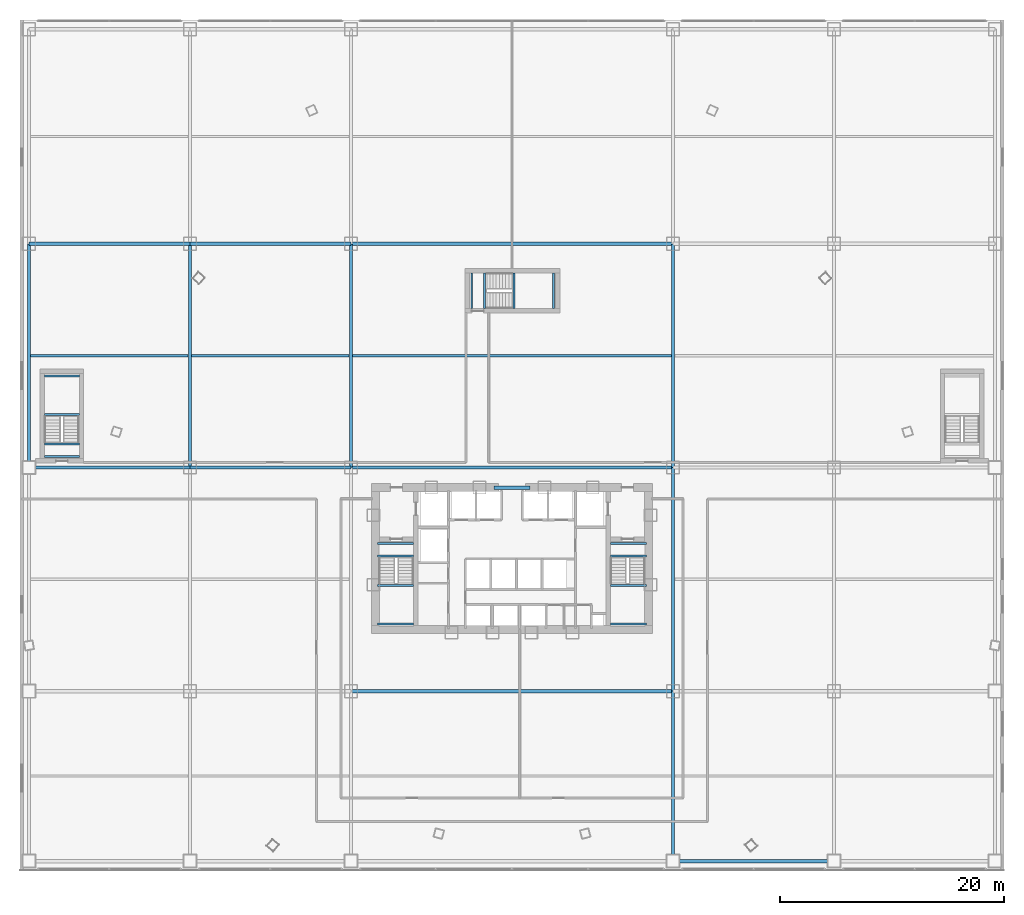
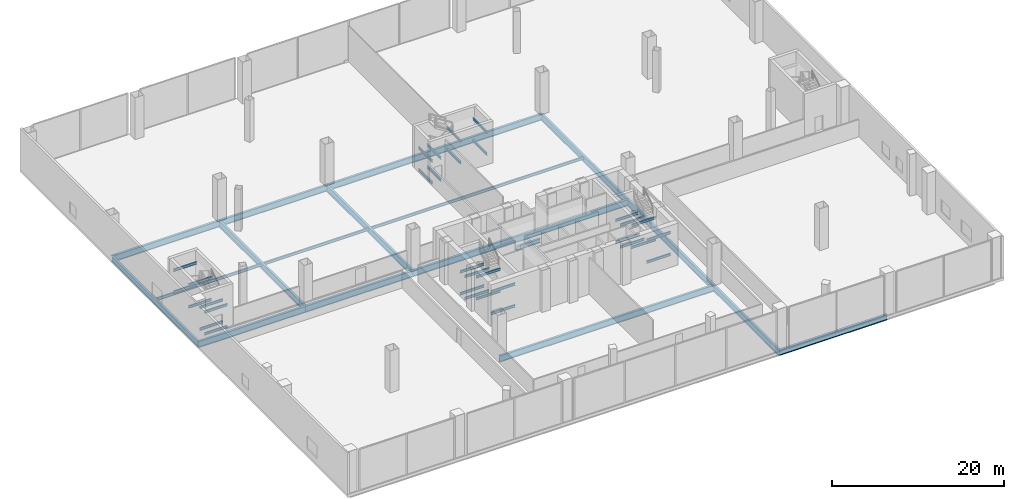
# One storey, part 12 of 41: 50 beams.
"""IFC4 building model written with IfcOpenShell, lengths in metres."""

from ifc_helpers import new_model, si_unit, direction, frame, origin, origin_2d, place, context, subcontext, project, spatial, i_section, extrude, source, transform, mapped, material, material_profile, profile_set, type_object, element, save


model = new_model("IFC4")

# Units and contexts
model_context = context("Model", 3, precision=1e-05, world=origin(), true_north=direction((0.0, 1.0)))
body_context = subcontext(model_context, "Body", "Model", "MODEL_VIEW")
ifc_project = project(units=[si_unit("LENGTHUNIT", "METRE"), si_unit("AREAUNIT", "SQUARE_METRE"), si_unit("VOLUMEUNIT", "CUBIC_METRE"), si_unit("PLANEANGLEUNIT", "RADIAN"), si_unit("MASSUNIT", "GRAM", prefix="KILO"), si_unit("THERMODYNAMICTEMPERATUREUNIT", "KELVIN"), si_unit("POWERUNIT", "WATT")], contexts=[model_context])

# Site, building, storey
site_placement = place(None, origin())
site = spatial("IfcSite", under=ifc_project, at=site_placement, CompositionType="ELEMENT")
building_placement = place(site_placement, origin())
building = spatial("IfcBuilding", under=site, at=building_placement, Name="Yunzhuo Pagoda Commons", CompositionType="ELEMENT")
storey_placement = place(building_placement, frame((0.0, 0.0, 19.199951171875)))
storey = spatial("IfcBuildingStorey", under=building, at=storey_placement, Name="L05", CompositionType="ELEMENT", Elevation=19.199951171875)

# Beams
ifc_material_1 = material(Name="Structural steel Q355B", Category="steel")
ifc_material_profile_1 = material_profile(ifc_material_1, i_section(OverallWidth=0.175048828125, OverallDepth=0.35009765625, WebThickness=0.007080078125, FlangeThickness=0.010986328125, at=origin_2d()), Name="Structural steel Q355B")
ifc_profile_set_1 = profile_set([ifc_material_profile_1], Name="Structural steel Q355B")
beam_type_1 = type_object("IfcBeamType", Name="B-JS2 Joist HN 350x175x7x11", PredefinedType="JOIST", material=ifc_profile_set_1)
shared_shape_1 = source(origin(), body_context, "Body", "SweptSolid", [
    extrude(i_section(OverallWidth=0.175048828125, OverallDepth=0.35009765625, WebThickness=0.007080078125, FlangeThickness=0.010986328125, at=origin_2d()), origin(), (0.0, 0.0, 1.0), 3.25),
])
for number, where, z_axis, x_axis, name in (
    (1, (35.949951171875, 28.0, 1.175048828125), (1.0, 0.0, 0.0), (0.0, 1.0, 0.0), "L05 ST1 landing support beam 7A"),
    (2, (35.949951171875, 31.4599609375, 1.175048828125), (1.0, 0.0, 0.0), (0.0, 1.0, 0.0), "L05 ST1 landing support beam 7B"),
    (3, (35.949951171875, 34.10009765625, 2.72509765625), (1.0, 0.0, 0.0), (0.0, 1.0, 0.0), "L05 ST1 landing support beam 8A"),
    (4, (35.949951171875, 35.199951171875, 2.72509765625), (1.0, 0.0, 0.0), (0.0, 1.0, 0.0), "L05 ST1 landing support beam 8B"),
    (5, (35.949951171875, 28.0, 4.275146484375), (1.0, 0.0, 0.0), (0.0, 1.0, 0.0), "L05 ST1 landing support beam 9A"),
    (6, (35.949951171875, 31.4599609375, 4.275146484375), (1.0, 0.0, 0.0), (0.0, 1.0, 0.0), "L05 ST1 landing support beam 9B"),
    (7, (35.949951171875, 34.10009765625, -0.375), (1.0, 0.0, 0.0), (0.0, 1.0, 0.0), "L05 ST1 landing support beam 109A"),
    (8, (35.949951171875, 35.199951171875, -0.375), (1.0, 0.0, 0.0), (0.0, 1.0, 0.0), "L05 ST1 landing support beam 109B"),
    (9, (56.800048828125, 28.0, 1.175048828125), (1.0, 0.0, 0.0), (0.0, 1.0, 0.0), "L05 ST2 landing support beam 7A"),
    (10, (56.800048828125, 31.4599609375, 1.175048828125), (1.0, 0.0, 0.0), (0.0, 1.0, 0.0), "L05 ST2 landing support beam 7B"),
    (11, (56.800048828125, 34.10009765625, 2.72509765625), (1.0, 0.0, 0.0), (0.0, 1.0, 0.0), "L05 ST2 landing support beam 8A"),
    (12, (56.800048828125, 35.199951171875, 2.72509765625), (1.0, 0.0, 0.0), (0.0, 1.0, 0.0), "L05 ST2 landing support beam 8B"),
    (13, (56.800048828125, 28.0, 4.275146484375), (1.0, 0.0, 0.0), (0.0, 1.0, 0.0), "L05 ST2 landing support beam 9A"),
    (14, (56.800048828125, 31.4599609375, 4.275146484375), (1.0, 0.0, 0.0), (0.0, 1.0, 0.0), "L05 ST2 landing support beam 9B"),
    (15, (56.800048828125, 34.10009765625, -0.375), (1.0, 0.0, 0.0), (0.0, 1.0, 0.0), "L05 ST2 landing support beam 109A"),
    (16, (56.800048828125, 35.199951171875, -0.375), (1.0, 0.0, 0.0), (0.0, 1.0, 0.0), "L05 ST2 landing support beam 109B"),
):
    element("IfcBeam", number, at=place(storey_placement, frame(where, z_axis=z_axis, x_axis=x_axis)), inside=storey, type_object=beam_type_1, Name=name, PredefinedType="JOIST", context=body_context, shape_type="MappedRepresentation", body=[
        mapped(shared_shape_1, transform((0.0, 0.0, 0.0), scale=1.0)),
    ])
shared_shape_2 = source(origin(), body_context, "Body", "SweptSolid", [
    extrude(i_section(OverallWidth=0.175048828125, OverallDepth=0.35009765625, WebThickness=0.007080078125, FlangeThickness=0.010986328125, at=origin_2d()), origin(), (0.0, 0.0, 1.0), 3.199951171875),
])
for number, where, z_axis, x_axis, name in (
    (17, (48.18994140625, 56.199951171875, 1.175048828125), (0.0, 1.0, 0.0), (-1.0, 0.0, 0.0), "L05 ST3 landing support beam 7A"),
    (18, (51.699951171875, 56.199951171875, 1.175048828125), (0.0, 1.0, 0.0), (-1.0, 0.0, 0.0), "L05 ST3 landing support beam 7B"),
    (19, (44.39990234375, 56.199951171875, 2.72509765625), (0.0, 1.0, 0.0), (-1.0, 0.0, 0.0), "L05 ST3 landing support beam 8A"),
    (20, (45.550048828125, 56.199951171875, 2.72509765625), (0.0, 1.0, 0.0), (-1.0, 0.0, 0.0), "L05 ST3 landing support beam 8B"),
    (21, (48.18994140625, 56.199951171875, 4.275146484375), (0.0, 1.0, 0.0), (-1.0, 0.0, 0.0), "L05 ST3 landing support beam 9A"),
    (22, (51.699951171875, 56.199951171875, 4.275146484375), (0.0, 1.0, 0.0), (-1.0, 0.0, 0.0), "L05 ST3 landing support beam 9B"),
    (23, (44.39990234375, 56.199951171875, -0.375), (0.0, 1.0, 0.0), (-1.0, 0.0, 0.0), "L05 ST3 landing support beam 79A"),
    (24, (45.550048828125, 56.199951171875, -0.375), (0.0, 1.0, 0.0), (-1.0, 0.0, 0.0), "L05 ST3 landing support beam 79B"),
):
    element("IfcBeam", number, at=place(storey_placement, frame(where, z_axis=z_axis, x_axis=x_axis)), inside=storey, type_object=beam_type_1, Name=name, PredefinedType="JOIST", context=body_context, shape_type="MappedRepresentation", body=[
        mapped(shared_shape_2, transform((0.0, 0.0, 0.0), scale=1.0)),
    ])
shared_shape_3 = source(origin(), body_context, "Body", "SweptSolid", [
    extrude(i_section(OverallWidth=0.175048828125, OverallDepth=0.35009765625, WebThickness=0.007080078125, FlangeThickness=0.010986328125, at=origin_2d()), origin(), (0.0, 0.0, 1.0), 3.10009765625),
])
for number, where, z_axis, x_axis, name in (
    (25, (6.199951171875, 46.739990234375, 1.175048828125), (1.0, 0.0, 0.0), (0.0, 1.0, 0.0), "L05 PS3 landing support beam 7A"),
    (26, (6.199951171875, 50.199951171875, 1.175048828125), (1.0, 0.0, 0.0), (0.0, 1.0, 0.0), "L05 PS3 landing support beam 7B"),
    (27, (6.199951171875, 43.0, 2.72509765625), (1.0, 0.0, 0.0), (0.0, 1.0, 0.0), "L05 PS3 landing support beam 8A"),
    (28, (6.199951171875, 44.10009765625, 2.72509765625), (1.0, 0.0, 0.0), (0.0, 1.0, 0.0), "L05 PS3 landing support beam 8B"),
    (29, (6.199951171875, 46.739990234375, 4.275146484375), (1.0, 0.0, 0.0), (0.0, 1.0, 0.0), "L05 PS3 landing support beam 9A"),
    (30, (6.199951171875, 50.199951171875, 4.275146484375), (1.0, 0.0, 0.0), (0.0, 1.0, 0.0), "L05 PS3 landing support beam 9B"),
    (31, (6.199951171875, 43.0, -0.375), (1.0, 0.0, 0.0), (0.0, 1.0, 0.0), "L05 PS3 landing support beam 15A"),
    (32, (6.199951171875, 44.10009765625, -0.375), (1.0, 0.0, 0.0), (0.0, 1.0, 0.0), "L05 PS3 landing support beam 15B"),
):
    element("IfcBeam", number, at=place(storey_placement, frame(where, z_axis=z_axis, x_axis=x_axis)), inside=storey, type_object=beam_type_1, Name=name, PredefinedType="JOIST", context=body_context, shape_type="MappedRepresentation", body=[
        mapped(shared_shape_3, transform((0.0, 0.0, 0.0), scale=1.0)),
    ])
ifc_material_2 = material(Name="Structural steel Q420B", Category="steel")
ifc_material_profile_2 = material_profile(ifc_material_2, i_section(OverallWidth=0.300048828125, OverallDepth=0.587890625, WebThickness=0.011962890625, FlangeThickness=0.02001953125, at=origin_2d()), Name="Structural steel Q420B")
ifc_profile_set_2 = profile_set([ifc_material_profile_2], Name="Structural steel Q420B")
beam_type_2 = type_object("IfcBeamType", Name="B-CPL Beam HM 588x300x12x20", PredefinedType="BEAM", material=ifc_profile_set_2)
shared_shape_4 = source(origin(), body_context, "Body", "SweptSolid", [
    extrude(i_section(OverallWidth=0.300048828125, OverallDepth=0.587890625, WebThickness=0.011962890625, FlangeThickness=0.02001953125, at=origin_2d()), origin(), (0.0, 0.0, 1.0), 3.2001953125),
])
beam_1_placement = place(storey_placement, frame((46.39990234375, 40.199951171875, -0.573974609375), z_axis=(1.0, 0.0, 0.0), x_axis=(0.0, 1.0, 0.0)))
element("IfcBeam", 33, at=beam_1_placement, inside=storey, type_object=beam_type_2, Name="L05 core coupling girder", PredefinedType="BEAM", context=body_context, shape_type="MappedRepresentation", body=[
    mapped(shared_shape_4, transform((0.0, 0.0, 0.0), scale=1.0)),
])
ifc_material_profile_3 = material_profile(ifc_material_1, i_section(OverallWidth=0.300048828125, OverallDepth=0.800048828125, WebThickness=0.013916015625, FlangeThickness=0.02587890625, at=origin_2d()), Name="Structural steel Q355B")
ifc_profile_set_3 = profile_set([ifc_material_profile_3], Name="Structural steel Q355B")
beam_type_3 = type_object("IfcBeamType", Name="B-PD2 Beam HN 800x300x14x26", PredefinedType="BEAM", material=ifc_profile_set_3)
shared_shape_5 = source(origin(), body_context, "Body", "SweptSolid", [
    extrude(i_section(OverallWidth=0.300048828125, OverallDepth=0.800048828125, WebThickness=0.013916015625, FlangeThickness=0.02587890625, at=origin_2d()), origin(), (0.0, 0.0, 1.0), 14.400146484375),
])
beam_2_placement = place(storey_placement, frame((62.39990234375, 6.800048828125, -0.6796875), z_axis=(1.0, 0.0, 0.0), x_axis=(0.0, 1.0, 0.0)))
element("IfcBeam", 34, at=beam_2_placement, inside=storey, type_object=beam_type_3, Name="L05 podium girder EW 1.4", PredefinedType="BEAM", context=body_context, shape_type="MappedRepresentation", body=[
    mapped(shared_shape_5, transform((0.0, 0.0, 0.0), scale=1.0)),
])
ifc_material_profile_4 = material_profile(ifc_material_1, i_section(OverallWidth=0.300048828125, OverallDepth=0.89990234375, WebThickness=0.01611328125, FlangeThickness=0.028076171875, at=origin_2d()), Name="Structural steel Q355B")
ifc_profile_set_4 = profile_set([ifc_material_profile_4], Name="Structural steel Q355B")
beam_type_4 = type_object("IfcBeamType", Name="B-PD1 Beam HN 900x300x16x28", PredefinedType="BEAM", material=ifc_profile_set_4)
shared_shape_6 = source(origin(), body_context, "Body", "SweptSolid", [
    extrude(i_section(OverallWidth=0.300048828125, OverallDepth=0.89990234375, WebThickness=0.01611328125, FlangeThickness=0.028076171875, at=origin_2d()), origin(), (0.0, 0.0, 1.0), 14.39990234375),
])
for number, where, z_axis, x_axis, name in (
    (35, (4.800048828125, 42.0, -0.72998046875), (1.0, 0.0, 0.0), (0.0, 1.0, 0.0), "L05 podium girder EW 3.1"),
    (36, (4.800048828125, 62.0, -0.72998046875), (1.0, 0.0, 0.0), (0.0, 1.0, 0.0), "L05 podium girder EW 4.1"),
):
    element("IfcBeam", number, at=place(storey_placement, frame(where, z_axis=z_axis, x_axis=x_axis)), inside=storey, type_object=beam_type_4, Name=name, PredefinedType="BEAM", context=body_context, shape_type="MappedRepresentation", body=[
        mapped(shared_shape_6, transform((0.0, 0.0, 0.0), scale=1.0)),
    ])
shared_shape_7 = source(origin(), body_context, "Body", "SweptSolid", [
    extrude(i_section(OverallWidth=0.300048828125, OverallDepth=0.89990234375, WebThickness=0.01611328125, FlangeThickness=0.028076171875, at=origin_2d()), origin(), (0.0, 0.0, 1.0), 14.400146484375),
])
for number, where, z_axis, x_axis, name in (
    (37, (19.199951171875, 42.0, -0.72998046875), (1.0, 0.0, 0.0), (0.0, 1.0, 0.0), "L05 podium girder EW 3.2"),
    (38, (19.199951171875, 62.0, -0.72998046875), (1.0, 0.0, 0.0), (0.0, 1.0, 0.0), "L05 podium girder EW 4.2"),
):
    element("IfcBeam", number, at=place(storey_placement, frame(where, z_axis=z_axis, x_axis=x_axis)), inside=storey, type_object=beam_type_4, Name=name, PredefinedType="BEAM", context=body_context, shape_type="MappedRepresentation", body=[
        mapped(shared_shape_7, transform((0.0, 0.0, 0.0), scale=1.0)),
    ])
shared_shape_8 = source(origin(), body_context, "Body", "SweptSolid", [
    extrude(i_section(OverallWidth=0.300048828125, OverallDepth=0.89990234375, WebThickness=0.01611328125, FlangeThickness=0.028076171875, at=origin_2d()), origin(), (0.0, 0.0, 1.0), 28.7998046875),
])
for number, where, z_axis, x_axis, name in (
    (39, (33.60009765625, 22.0, -0.72998046875), (1.0, 0.0, 0.0), (0.0, 1.0, 0.0), "L05 podium girder EW 2.3"),
    (40, (33.60009765625, 42.0, -0.72998046875), (1.0, 0.0, 0.0), (0.0, 1.0, 0.0), "L05 podium girder EW 3.3"),
    (41, (33.60009765625, 62.0, -0.72998046875), (1.0, 0.0, 0.0), (0.0, 1.0, 0.0), "L05 podium girder EW 4.3"),
):
    element("IfcBeam", number, at=place(storey_placement, frame(where, z_axis=z_axis, x_axis=x_axis)), inside=storey, type_object=beam_type_4, Name=name, PredefinedType="BEAM", context=body_context, shape_type="MappedRepresentation", body=[
        mapped(shared_shape_8, transform((0.0, 0.0, 0.0), scale=1.0)),
    ])
ifc_material_profile_5 = material_profile(ifc_material_1, i_section(OverallWidth=0.199951171875, OverallDepth=0.39990234375, WebThickness=0.008056640625, FlangeThickness=0.012939453125, at=origin_2d()), Name="Structural steel Q355B")
ifc_profile_set_5 = profile_set([ifc_material_profile_5], Name="Structural steel Q355B")
beam_type_5 = type_object("IfcBeamType", Name="B-JS1 Joist HN 400x200x8x13", PredefinedType="JOIST", material=ifc_profile_set_5)
shared_shape_9 = source(origin(), body_context, "Body", "SweptSolid", [
    extrude(i_section(OverallWidth=0.199951171875, OverallDepth=0.39990234375, WebThickness=0.008056640625, FlangeThickness=0.012939453125, at=origin_2d()), origin(), (0.0, 0.0, 1.0), 14.08984375),
])
for number, where, z_axis, x_axis, name in (
    (42, (4.955078125, 52.0, -0.47998046875), (1.0, 0.0, 0.0), (0.0, 1.0, 0.0), "L05 podium composite joist 1.3"),
    (43, (19.355224609375, 52.0, -0.47998046875), (1.0, 0.0, 0.0), (0.0, 1.0, 0.0), "L05 podium composite joist 2.3"),
):
    element("IfcBeam", number, at=place(storey_placement, frame(where, z_axis=z_axis, x_axis=x_axis)), inside=storey, type_object=beam_type_5, Name=name, PredefinedType="JOIST", context=body_context, shape_type="MappedRepresentation", body=[
        mapped(shared_shape_9, transform((0.0, 0.0, 0.0), scale=1.0)),
    ])
shared_shape_10 = source(origin(), body_context, "Body", "SweptSolid", [
    extrude(i_section(OverallWidth=0.300048828125, OverallDepth=0.800048828125, WebThickness=0.013916015625, FlangeThickness=0.02587890625, at=origin_2d()), origin(), (0.0, 0.0, 1.0), 20.0),
])
beam_3_placement = place(storey_placement, frame((4.800048828125, 42.0, -0.6796875), z_axis=(0.0, 1.0, 0.0), x_axis=(-1.0, 0.0, 0.0)))
element("IfcBeam", 44, at=beam_3_placement, inside=storey, type_object=beam_type_3, Name="L05 podium girder NS 1.3", PredefinedType="BEAM", context=body_context, shape_type="MappedRepresentation", body=[
    mapped(shared_shape_10, transform((0.0, 0.0, 0.0), scale=1.0)),
])
shared_shape_11 = source(origin(), body_context, "Body", "SweptSolid", [
    extrude(i_section(OverallWidth=0.300048828125, OverallDepth=0.89990234375, WebThickness=0.01611328125, FlangeThickness=0.028076171875, at=origin_2d()), origin(), (0.0, 0.0, 1.0), 15.199951171875),
])
beam_4_placement = place(storey_placement, frame((62.39990234375, 6.800048828125, -0.72998046875), z_axis=(0.0, 1.0, 0.0), x_axis=(-1.0, 0.0, 0.0)))
element("IfcBeam", 45, at=beam_4_placement, inside=storey, type_object=beam_type_4, Name="L05 podium girder NS 4.1", PredefinedType="BEAM", context=body_context, shape_type="MappedRepresentation", body=[
    mapped(shared_shape_11, transform((0.0, 0.0, 0.0), scale=1.0)),
])
shared_shape_12 = source(origin(), body_context, "Body", "SweptSolid", [
    extrude(i_section(OverallWidth=0.300048828125, OverallDepth=0.89990234375, WebThickness=0.01611328125, FlangeThickness=0.028076171875, at=origin_2d()), origin(), (0.0, 0.0, 1.0), 20.0),
])
for number, where, z_axis, x_axis, name in (
    (46, (19.199951171875, 42.0, -0.72998046875), (0.0, 1.0, 0.0), (-1.0, 0.0, 0.0), "L05 podium girder NS 2.3"),
    (47, (33.60009765625, 42.0, -0.72998046875), (0.0, 1.0, 0.0), (-1.0, 0.0, 0.0), "L05 podium girder NS 3.3"),
    (48, (62.39990234375, 22.0, -0.72998046875), (0.0, 1.0, 0.0), (-1.0, 0.0, 0.0), "L05 podium girder NS 4.2"),
    (49, (62.39990234375, 42.0, -0.72998046875), (0.0, 1.0, 0.0), (-1.0, 0.0, 0.0), "L05 podium girder NS 4.3"),
):
    element("IfcBeam", number, at=place(storey_placement, frame(where, z_axis=z_axis, x_axis=x_axis)), inside=storey, type_object=beam_type_4, Name=name, PredefinedType="BEAM", context=body_context, shape_type="MappedRepresentation", body=[
        mapped(shared_shape_12, transform((0.0, 0.0, 0.0), scale=1.0)),
    ])
shared_shape_13 = source(origin(), body_context, "Body", "SweptSolid", [
    extrude(i_section(OverallWidth=0.199951171875, OverallDepth=0.39990234375, WebThickness=0.008056640625, FlangeThickness=0.012939453125, at=origin_2d()), origin(), (0.0, 0.0, 1.0), 28.490234375),
])
beam_5_placement = place(storey_placement, frame((33.7548828125, 52.0, -0.47998046875), z_axis=(1.0, 0.0, 0.0), x_axis=(0.0, 1.0, 0.0)))
element("IfcBeam", 50, at=beam_5_placement, inside=storey, type_object=beam_type_5, Name="L05 podium composite joist 3.3", PredefinedType="JOIST", context=body_context, shape_type="MappedRepresentation", body=[
    mapped(shared_shape_13, transform((0.0, 0.0, 0.0), scale=1.0)),
])

save(model, "model.ifc")
